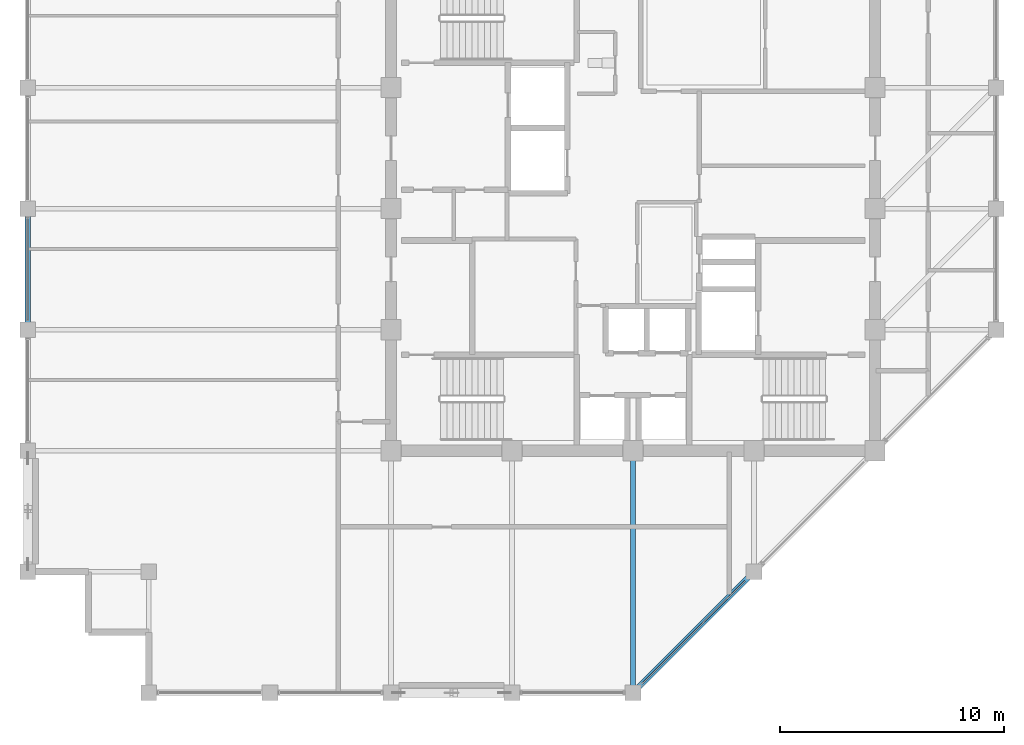
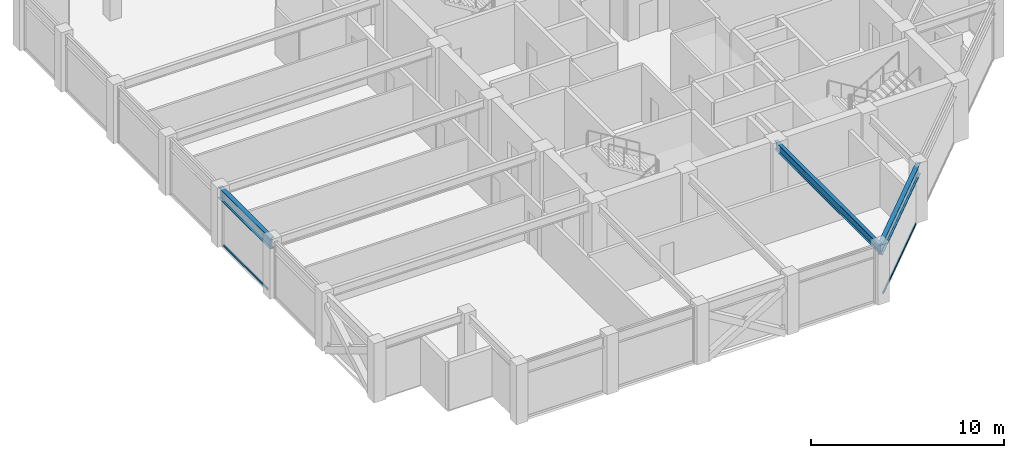
# One storey, part 7 of 31: 3 beams, 2 members, 2 elements without a shape of their own.
"""IFC4 building model written with IfcOpenShell, lengths in metres."""

from ifc_helpers import new_model, si_unit, direction, frame, origin, origin_2d, place, context, subcontext, project, spatial, hollow_rectangle, i_section, extrude, material, layer, layer_set, material_profile, profile_set, type_object, element, aggregate, save


model = new_model("IFC4")

# Units and contexts
model_context = context("Model", 3, precision=1e-05, world=origin(), true_north=direction((0.0, 1.0)))
body_context = subcontext(model_context, "Body", "Model", "MODEL_VIEW")
ifc_project = project(units=[si_unit("LENGTHUNIT", "METRE"), si_unit("AREAUNIT", "SQUARE_METRE"), si_unit("VOLUMEUNIT", "CUBIC_METRE"), si_unit("PLANEANGLEUNIT", "RADIAN"), si_unit("MASSUNIT", "GRAM", prefix="KILO")], contexts=[model_context])

# Site, building, storey
site_placement = place(None, origin())
site = spatial("IfcSite", under=ifc_project, at=site_placement, CompositionType="ELEMENT")
building_placement = place(site_placement, origin())
building = spatial("IfcBuilding", under=site, at=building_placement, Name="Surkhivell Harbour Commons", CompositionType="ELEMENT")
storey_placement = place(building_placement, frame((0.0, 0.0, 285.0)))
storey = spatial("IfcBuildingStorey", under=building, at=storey_placement, Name="L74", CompositionType="ELEMENT", Elevation=285.0)

# Beams
ifc_material_1 = material(Name="Steel S355", Category="steel")
ifc_material_profile_1 = material_profile(ifc_material_1, i_section(OverallWidth=0.2099609375, OverallDepth=0.537109375, WebThickness=0.0107421875, FlangeThickness=0.017333984375, at=origin_2d()), Name="UB533x210x101")
ifc_profile_set_1 = profile_set([ifc_material_profile_1], Name="Steel S355")
beam_type_1 = type_object("IfcBeamType", Name="BM-GRD-533B", PredefinedType="BEAM", material=ifc_profile_set_1)
beam_1_placement = place(storey_placement, frame((0.0, -21.60009765625, 3.301513671875), z_axis=(0.0, 1.0, 0.0), x_axis=(-1.0, 0.0, 0.0)))
element("IfcBeam", 1, at=beam_1_placement, inside=storey, type_object=beam_type_1, Name="L74 Floor Girder (0.0,-21.6)", PredefinedType="BEAM", context=body_context, shape_type="SweptSolid", body=[
    extrude(i_section(OverallWidth=0.2099609375, OverallDepth=0.537109375, WebThickness=0.0107421875, FlangeThickness=0.017333984375, at=origin_2d()), origin(), (0.0, 0.0, 1.0), 10.800048828125),
])
ifc_material_profile_2 = material_profile(ifc_material_1, i_section(OverallWidth=0.256103515625, OverallDepth=0.693115234375, WebThickness=0.014404296875, FlangeThickness=0.023681640625, at=origin_2d()), Name="UB686x254x170")
ifc_profile_set_2 = profile_set([ifc_material_profile_2], Name="Steel S355")
beam_type_2 = type_object("IfcBeamType", Name="BM-SPN-686", PredefinedType="SPANDREL", material=ifc_profile_set_2)
beam_2_placement = place(storey_placement, frame((-27.0, -5.39990234375, 3.223388671875), z_axis=(0.0, 1.0, 0.0), x_axis=(-1.0, 0.0, 0.0)))
element("IfcBeam", 2, at=beam_2_placement, inside=storey, type_object=beam_type_2, Name="L74 Tube Spandrel (-27.0,-5.4)", PredefinedType="SPANDREL", context=body_context, shape_type="SweptSolid", body=[
    extrude(i_section(OverallWidth=0.256103515625, OverallDepth=0.693115234375, WebThickness=0.014404296875, FlangeThickness=0.023681640625, at=origin_2d()), origin(), (0.0, 0.0, 1.0), 5.39990234375),
])
beam_3_placement = place(storey_placement, frame((0.0, -21.60009765625, 3.223388671875), z_axis=(0.707090796496, 0.707122765516, 0.0), x_axis=(-0.707122765516, 0.707090796496, 0.0)))
element("IfcBeam", 3, at=beam_3_placement, inside=storey, type_object=beam_type_2, Name="L74 Tube Spandrel (-0.0,-21.6)", PredefinedType="SPANDREL", context=body_context, shape_type="SweptSolid", body=[
    extrude(i_section(OverallWidth=0.256103515625, OverallDepth=0.693115234375, WebThickness=0.014404296875, FlangeThickness=0.023681640625, at=origin_2d()), origin(), (0.0, 0.0, 1.0), 7.63671875),
])

# Curtain wall, member
ifc_material_2 = material(Name="Anodised pale-metal aluminium and insulated glazing", Category="aluminium")
ifc_layer = layer(ifc_material_2, 0.175048828125)
ifc_layer_set = layer_set([ifc_layer], Name="Anodised pale-metal aluminium and insulated glazing")
curtain_wall_type = type_object("IfcCurtainWallType", Name="CW-SYS-Z4", PredefinedType="NOTDEFINED", material=ifc_layer_set)
curtain_wall_1_placement = place(storey_placement, origin())
curtain_wall_1 = element("IfcCurtainWall", 4, at=curtain_wall_1_placement, inside=storey, type_object=curtain_wall_type, Name="L74 Curtain Wall CW-L74-E01", PredefinedType="NOTDEFINED")
ifc_material_3 = material(Name="Champagne anodised aluminium alloy 6063-T6", Category="aluminium")
ifc_material_profile_3 = material_profile(ifc_material_3, hollow_rectangle(XDim=0.070068359375, YDim=0.1298828125, WallThickness=0.00341796875, at=origin_2d()), Name="ALU-TRAN-70x130")
ifc_profile_set_3 = profile_set([ifc_material_profile_3], Name="Champagne anodised aluminium alloy 6063-T6")
member_type = type_object("IfcMemberType", Name="CWT-130", PredefinedType="USERDEFINED", material=ifc_profile_set_3)
member_1_placement = place(storey_placement, frame((0.404541015625, -21.1953125, 0.06494140625), z_axis=(0.707125583467, 0.707087978406, 0.0), x_axis=(-0.707087978406, 0.707125583467, 0.0)))
member_1 = element("IfcMember", 5, at=member_1_placement, type_object=member_type, Name="CW-Z4 transom 1.1", ObjectType="TRANSOM", PredefinedType="USERDEFINED", context=body_context, shape_type="SweptSolid", body=[
    extrude(hollow_rectangle(XDim=0.070068359375, YDim=0.1298828125, WallThickness=0.00341796875, at=origin_2d()), origin(), (0.0, 0.0, 1.0), 6.4921875),
])
aggregate(curtain_wall_1, [member_1])

curtain_wall_2_placement = place(storey_placement, origin())
curtain_wall_2 = element("IfcCurtainWall", 6, at=curtain_wall_2_placement, inside=storey, type_object=curtain_wall_type, Name="L74 Curtain Wall CW-L74-E12S1", PredefinedType="NOTDEFINED")
member_2_placement = place(storey_placement, frame((-27.0, -0.427001953125, 0.06494140625), z_axis=(0.0, -1.0, 0.0), x_axis=(1.0, 0.0, 0.0)))
member_2 = element("IfcMember", 7, at=member_2_placement, type_object=member_type, Name="CW-Z4 transom 5.1", ObjectType="TRANSOM", PredefinedType="USERDEFINED", context=body_context, shape_type="SweptSolid", body=[
    extrude(hollow_rectangle(XDim=0.070068359375, YDim=0.1298828125, WallThickness=0.00341796875, at=origin_2d()), origin(), (0.0, 0.0, 1.0), 4.5458984375),
])
aggregate(curtain_wall_2, [member_2])

save(model, "model.ifc")
